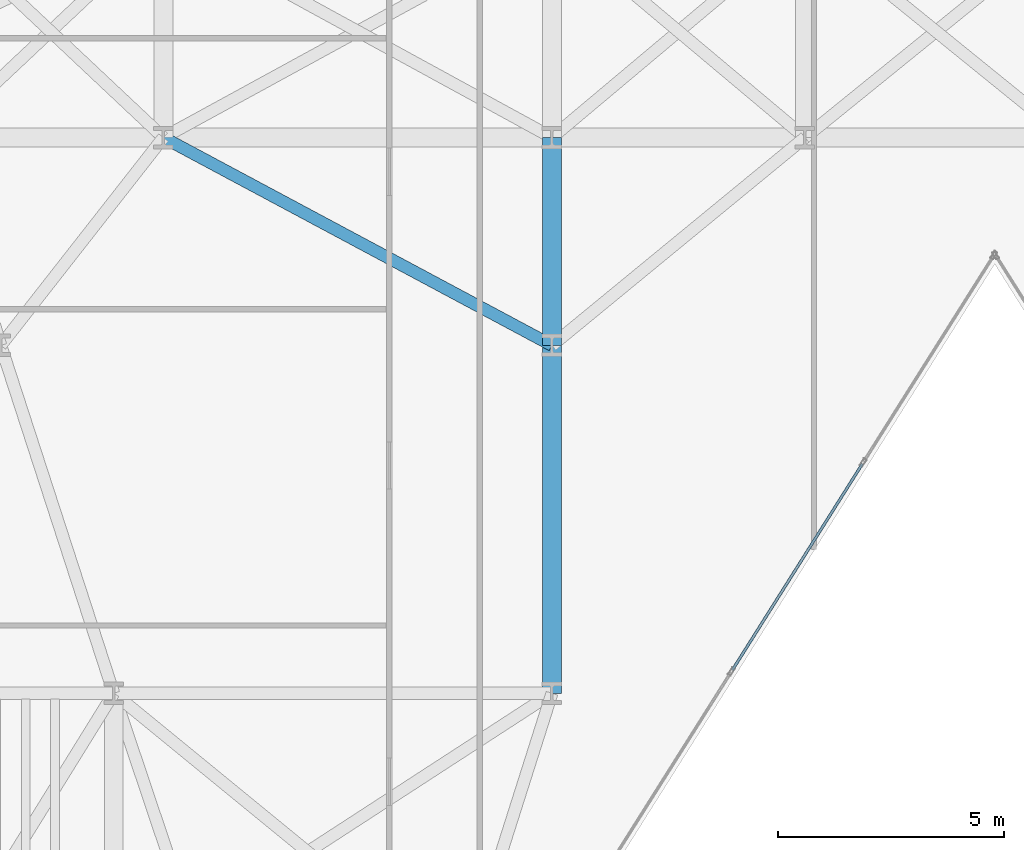
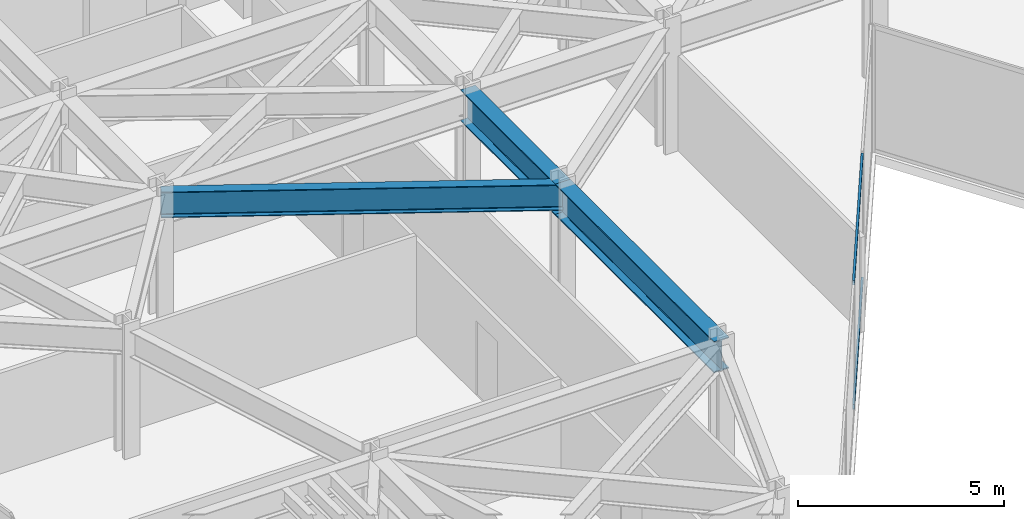
# One storey, part 9 of 25: 3 beams, 2 members, 1 element without a shape of its own.
"""IFC4 building model written with IfcOpenShell, lengths in metres."""

import ifcopenshell
import ifcopenshell.guid

model = None  # the IFC model being written
_history = None  # IfcOwnerHistory: only IFC2X3 demands one
_inside = {}  # id of a spatial element -> (the spatial element, [elements in it])
_under = {}  # id of a project, library or spatial element -> (it, [spatial elements below it])
_declared = {}  # id of a project -> (the project, [libraries it declares])
_typed = {}  # id of a type object -> (the type object, [elements of that type])
_made_of = {}  # id of a material, layer set ... -> (it, [elements and type objects made of it])


def new_model(schema):
    """Start an empty IFC model of exactly this schema.

    Asked for "IFC4X3", IfcOpenShell would pick the latest addendum, in which some entities
    have other attributes; the version numbers below select the first issue.
    IFC2X3 requires an IfcOwnerHistory on every rooted entity: one is made here for all.
    """
    global model, _history
    if schema == "IFC4X3":
        model = ifcopenshell.file(schema_version=(4, 3, 0, 0))
    else:
        model = ifcopenshell.file(schema=schema)
    _inside.clear()
    _under.clear()
    _declared.clear()
    _typed.clear()
    _made_of.clear()
    _history = None
    if model.schema == "IFC2X3":
        org = make("IfcOrganization", Name="unknown")
        user = make(
            "IfcPersonAndOrganization",
            ThePerson=make("IfcPerson", FamilyName="unknown"),
            TheOrganization=org,
        )
        app = make(
            "IfcApplication",
            ApplicationDeveloper=org,
            Version="unknown",
            ApplicationFullName="unknown",
            ApplicationIdentifier="unknown",
        )
        _history = make(
            "IfcOwnerHistory",
            OwningUser=user,
            OwningApplication=app,
            ChangeAction="ADDED",
            CreationDate=0,
        )
    return model


def make(cls, **values):
    """One entity of the class cls with the attributes given. An attribute that is None is left unset."""
    return model.create_entity(
        cls, **{name: value for name, value in values.items() if value is not None}
    )


def rooted(cls, **values):
    """An entity with a GlobalId (a new one), such as an element, a storey or a relation."""
    return make(cls, GlobalId=ifcopenshell.guid.new(), OwnerHistory=_history, **values)


def si_unit(unit_type, name, prefix=None):
    """IfcSIUnit, for example si_unit("LENGTHUNIT", "METRE", prefix="MILLI")."""
    return make("IfcSIUnit", UnitType=unit_type, Prefix=prefix, Name=name)


def assignment(units):
    """IfcUnitAssignment: the units of a project."""
    return None if units is None else make("IfcUnitAssignment", Units=units)


def point(xyz):
    """IfcCartesianPoint."""
    return None if xyz is None else make("IfcCartesianPoint", Coordinates=xyz)


def direction(xyz):
    """IfcDirection."""
    return None if xyz is None else make("IfcDirection", DirectionRatios=xyz)


def frame(location, z_axis=None, x_axis=None):
    """IfcAxis2Placement3D, a coordinate frame: its origin and axes. An axis left out is left unset."""
    return make(
        "IfcAxis2Placement3D",
        Location=point(location),
        Axis=direction(z_axis),
        RefDirection=direction(x_axis),
    )


def frame_2d(location, x_axis=None):
    """IfcAxis2Placement2D, a coordinate frame in the plane: its origin and x axis."""
    return make(
        "IfcAxis2Placement2D", Location=point(location), RefDirection=direction(x_axis)
    )


def origin():
    """The frame at (0, 0, 0) with its axes left unset."""
    return frame((0.0, 0.0, 0.0))


def origin_2d():
    """The frame at (0, 0) in the plane with its x axis left unset."""
    return frame_2d((0.0, 0.0))


def place(relative_to, where):
    """IfcLocalPlacement: puts the frame where relative to a parent placement (None: the world)."""
    return make(
        "IfcLocalPlacement", PlacementRelTo=relative_to, RelativePlacement=where
    )


def context(
    kind, dimensions, precision=None, world=None, true_north=None, identifier=None
):
    """IfcGeometricRepresentationContext, for example the 3D "Model" context."""
    return make(
        "IfcGeometricRepresentationContext",
        ContextIdentifier=identifier,
        ContextType=kind,
        CoordinateSpaceDimension=dimensions,
        Precision=precision,
        WorldCoordinateSystem=world,
        TrueNorth=true_north,
    )


def subcontext(parent, identifier, kind, view, scale=None):
    """IfcGeometricRepresentationSubContext, for example "Body" below "Model"."""
    return make(
        "IfcGeometricRepresentationSubContext",
        ContextIdentifier=identifier,
        ContextType=kind,
        ParentContext=parent,
        TargetScale=scale,
        TargetView=view,
    )


def project(units=None, contexts=None):
    """IfcProject with its units and contexts."""
    return rooted(
        "IfcProject",
        Name="project",
        RepresentationContexts=contexts,
        UnitsInContext=assignment(units),
    )


def spatial(cls, under=None, at=None, **own):
    """A site, building, storey or space (cls), placed at a placement, below another one or the project."""
    s = rooted(cls, ObjectPlacement=at, **own)
    if under is not None:
        _under.setdefault(under.id(), (under, []))[1].append(s)
    return s


def profile(cls, at=None, kind="AREA", **sizes):
    """A parametric profile (cls). Its sizes go by their IFC names, for example OverallWidth=200.0."""
    return make(cls, ProfileType=kind, Position=at, **sizes)


def hollow_rectangle(**sizes):
    """IfcRectangleHollowProfileDef."""
    return profile("IfcRectangleHollowProfileDef", **sizes)


def i_section(**sizes):
    """IfcIShapeProfileDef."""
    return profile("IfcIShapeProfileDef", **sizes)


def extrude(swept, where, along, depth):
    """IfcExtrudedAreaSolid: the profile swept, set in the frame where, extruded along a direction by depth."""
    return make(
        "IfcExtrudedAreaSolid",
        SweptArea=swept,
        Position=where,
        ExtrudedDirection=direction(along),
        Depth=depth,
    )


def shape(context_of_items, identifier, shape_type, items):
    """IfcShapeRepresentation: the items that make up one representation, for example the "Body"."""
    return make(
        "IfcShapeRepresentation",
        ContextOfItems=context_of_items,
        RepresentationIdentifier=identifier,
        RepresentationType=shape_type,
        Items=items,
    )


def material(Name=None, Category=None):
    """IfcMaterial."""
    return make("IfcMaterial", Name=Name, Category=Category)


def layer(
    of_material, thickness, ventilated=None, Name=None, Category=None, Priority=None
):
    """IfcMaterialLayer: one layer of a wall or slab, of a material (None: an air gap)."""
    return make(
        "IfcMaterialLayer",
        Material=of_material,
        LayerThickness=thickness,
        IsVentilated=ventilated,
        Name=Name,
        Category=Category,
        Priority=Priority,
    )


def layer_set(layers, Name=None):
    """IfcMaterialLayerSet."""
    return make("IfcMaterialLayerSet", MaterialLayers=layers, LayerSetName=Name)


def material_profile(
    of_material, cross_section, Name=None, Category=None, Priority=None
):
    """IfcMaterialProfile: a cross section and its material."""
    return make(
        "IfcMaterialProfile",
        Name=Name,
        Material=of_material,
        Profile=cross_section,
        Priority=Priority,
        Category=Category,
    )


def profile_set(profiles, Name=None, composite=None):
    """IfcMaterialProfileSet."""
    return make(
        "IfcMaterialProfileSet",
        Name=Name,
        MaterialProfiles=profiles,
        CompositeProfile=composite,
    )


def made_of(thing, what):
    """Note that an element or type object is made of a material, layer set ...; save() writes the relation."""
    if what is not None:
        _made_of.setdefault(what.id(), (what, []))[1].append(thing)
    return thing


def type_object(cls, material=None, **own):
    """A type object (cls), such as IfcWallType, which elements share."""
    return made_of(rooted(cls, **own), material)


def element(
    cls,
    number,
    at=None,
    inside=None,
    cuts=None,
    type_object=None,
    material=None,
    context=None,
    identifier="Body",
    shape_type=None,
    held_by="IfcProductDefinitionShape",
    body=None,
    shapes=None,
    **own,
):
    """One element of the class cls, such as IfcWall. Its Tag is "e" and its number.

    at: its placement. inside: the storey or other place that contains it. cuts: it is an
    opening in that element (IfcRelVoidsElement). A single representation is given by context,
    identifier, shape_type and body (its items); several are given by shapes. held_by: the class
    of the entity that holds the representations. save() writes the other relations.
    """
    e = rooted(cls, Tag="e%d" % number, ObjectPlacement=at, **own)
    if body is not None:
        shapes = [shape(context, identifier, shape_type, body)]
    if shapes is not None:
        e.Representation = make(held_by, Representations=shapes)
    if inside is not None:
        _inside.setdefault(inside.id(), (inside, []))[1].append(e)
    if cuts is not None:
        rooted(
            "IfcRelVoidsElement", RelatingBuildingElement=cuts, RelatedOpeningElement=e
        )
    if type_object is not None:
        _typed.setdefault(type_object.id(), (type_object, []))[1].append(e)
    return made_of(e, material)


def aggregate(whole, parts):
    """IfcRelAggregates: a whole, such as a stair, and the parts it consists of."""
    return rooted("IfcRelAggregates", RelatingObject=whole, RelatedObjects=parts)


def save(model, path):
    """Write the relations noted so far, then the file.

    IfcRelAggregates (storeys below a building ...), IfcRelContainedInSpatialStructure (elements
    in a storey), IfcRelDefinesByType, IfcRelAssociatesMaterial and IfcRelDeclares: one each for
    every whole, place, type object, material and project.
    """
    for whole, parts in _under.values():
        aggregate(whole, parts)
    for where, things in _inside.values():
        rooted(
            "IfcRelContainedInSpatialStructure",
            RelatedElements=things,
            RelatingStructure=where,
        )
    for kind, things in _typed.values():
        rooted("IfcRelDefinesByType", RelatedObjects=things, RelatingType=kind)
    for what, things in _made_of.values():
        rooted("IfcRelAssociatesMaterial", RelatedObjects=things, RelatingMaterial=what)
    for by, libraries in _declared.values():
        rooted("IfcRelDeclares", RelatingContext=by, RelatedDefinitions=libraries)
    model.write(path)


model = new_model("IFC4")

# Units and contexts
model_context = context("Model", 3, precision=1e-05, world=origin(), true_north=direction((0.0, 1.0)))
body_context = subcontext(model_context, "Body", "Model", "MODEL_VIEW")
ifc_project = project(units=[si_unit("LENGTHUNIT", "METRE"), si_unit("AREAUNIT", "SQUARE_METRE"), si_unit("VOLUMEUNIT", "CUBIC_METRE"), si_unit("PLANEANGLEUNIT", "RADIAN"), si_unit("MASSUNIT", "GRAM", prefix="KILO")], contexts=[model_context])

# Site, building, storey
site_placement = place(None, origin())
site = spatial("IfcSite", under=ifc_project, at=site_placement, CompositionType="ELEMENT")
building_placement = place(site_placement, origin())
building = spatial("IfcBuilding", under=site, at=building_placement, Name="Kravanh Interchange Tower", CompositionType="ELEMENT")
storey_placement = place(building_placement, frame((0.0, 0.0, 65.5)))
storey = spatial("IfcBuildingStorey", under=building, at=storey_placement, Name="L15", CompositionType="ELEMENT", Elevation=65.5)

# Curtain wall, members
ifc_material_1 = material(Name="Anodised Bronze Aluminium", Category="aluminium")
ifc_layer = layer(ifc_material_1, 0.179931640625)
ifc_layer_set = layer_set([ifc_layer], Name="Unitised Curtain Wall System CW-Z1 Lower Office")
curtain_wall_type = type_object("IfcCurtainWallType", Name="Unitised Curtain Wall System CW-Z1 Lower Office", PredefinedType="NOTDEFINED", material=ifc_layer_set)
curtain_wall_placement = place(storey_placement, origin())
curtain_wall = element("IfcCurtainWall", 1, at=curtain_wall_placement, inside=storey, type_object=curtain_wall_type, Name="L15 Unitised Curtain Wall CW-L15-05", PredefinedType="NOTDEFINED")
ifc_material_2 = material(Name="Anodised Bronze Aluminium", Category="aluminium")
ifc_material_profile_1 = material_profile(ifc_material_2, hollow_rectangle(XDim=0.06005859375, YDim=0.139892578125, WallThickness=0.00390625, at=origin_2d()), Name="ALU60X140X4")
ifc_profile_set_1 = profile_set([ifc_material_profile_1], Name="Anodised Bronze Aluminium")
member_type = type_object("IfcMemberType", Name="Curtain Wall Transom ALU60X140X4 Bronze", PredefinedType="USERDEFINED", material=ifc_profile_set_1)
member_1_placement = place(storey_placement, frame((34.068115234375, 19.574462890625, 0.030029296875), z_axis=(-0.533311487456, -0.84591894254, 0.0), x_axis=(0.84591894254, -0.533311487456, 0.0)))
member_1 = element("IfcMember", 2, at=member_1_placement, type_object=member_type, Name="CW-Z1 transom 2.1", ObjectType="TRANSOM", PredefinedType="USERDEFINED", context=body_context, shape_type="SweptSolid", body=[
    extrude(hollow_rectangle(XDim=0.06005859375, YDim=0.139892578125, WallThickness=0.00390625, at=origin_2d()), origin(), (0.0, 0.0, 1.0), 5.392578125),
])
member_2_placement = place(storey_placement, frame((34.068115234375, 19.574462890625, 3.7099609375), z_axis=(-0.533311487456, -0.84591894254, 0.0), x_axis=(0.84591894254, -0.533311487456, 0.0)))
member_2 = element("IfcMember", 3, at=member_2_placement, type_object=member_type, Name="CW-Z1 transom 2.2", ObjectType="TRANSOM", PredefinedType="USERDEFINED", context=body_context, shape_type="SweptSolid", body=[
    extrude(hollow_rectangle(XDim=0.06005859375, YDim=0.139892578125, WallThickness=0.00390625, at=origin_2d()), origin(), (0.0, 0.0, 1.0), 5.392578125),
])
aggregate(curtain_wall, [member_1, member_2])

# Beams
ifc_material_3 = material(Name="Structural Steel S355", Category="steel")
ifc_material_profile_2 = material_profile(ifc_material_3, i_section(OverallWidth=0.41796875, OverallDepth=0.927001953125, WebThickness=0.019287109375, FlangeThickness=0.031982421875, FilletRadius=0.028076171875, at=origin_2d()), Name="W36X231")
ifc_profile_set_2 = profile_set([ifc_material_profile_2], Name="Structural Steel S355")
beam_type_1 = type_object("IfcBeamType", Name="Floor Beam W36X231 Structural Steel S355", PredefinedType="BEAM", material=ifc_profile_set_2)
beam_1_placement = place(storey_placement, frame((27.199951171875, 22.199951171875, 3.276611328125), z_axis=(0.0, 1.0, 0.0), x_axis=(-1.0, 0.0, 0.0)))
element("IfcBeam", 4, at=beam_1_placement, inside=storey, type_object=beam_type_1, Name="L15 Primary Floor Girder 54", PredefinedType="BEAM", context=body_context, shape_type="SweptSolid", body=[
    extrude(i_section(OverallWidth=0.41796875, OverallDepth=0.927001953125, WebThickness=0.019287109375, FlangeThickness=0.031982421875, FilletRadius=0.028076171875, at=origin_2d()), origin(), (0.0, 0.0, 1.0), 4.60009765625),
])
beam_2_placement = place(storey_placement, frame((27.199951171875, 22.199951171875, 3.276611328125), z_axis=(0.0, -1.0, 0.0), x_axis=(1.0, 0.0, 0.0)))
element("IfcBeam", 5, at=beam_2_placement, inside=storey, type_object=beam_type_1, Name="L15 Primary Floor Girder 56", PredefinedType="BEAM", context=body_context, shape_type="SweptSolid", body=[
    extrude(i_section(OverallWidth=0.41796875, OverallDepth=0.927001953125, WebThickness=0.019287109375, FlangeThickness=0.031982421875, FilletRadius=0.028076171875, at=origin_2d()), origin(), (0.0, 0.0, 1.0), 7.699951171875),
])
ifc_material_4 = material(Name="Structural Steel S355", Category="steel")
ifc_material_profile_3 = material_profile(ifc_material_4, i_section(OverallWidth=0.26708984375, OverallDepth=0.761962890625, WebThickness=0.014404296875, FlangeThickness=0.021484375, FilletRadius=0.02490234375, at=origin_2d()), Name="W30X116")
ifc_profile_set_3 = profile_set([ifc_material_profile_3], Name="Structural Steel S355")
beam_type_2 = type_object("IfcBeamType", Name="Floor Spandrel W30X116 Structural Steel S355", PredefinedType="SPANDREL", material=ifc_profile_set_3)
beam_3_placement = place(storey_placement, frame((27.199951171875, 22.199951171875, 3.35888671875), z_axis=(-0.881777136221, 0.471666282489, 0.0), x_axis=(-0.471666282489, -0.881777136221, 0.0)))
element("IfcBeam", 6, at=beam_3_placement, inside=storey, type_object=beam_type_2, Name="L15 Perimeter Spandrel 57", PredefinedType="SPANDREL", context=body_context, shape_type="SweptSolid", body=[
    extrude(i_section(OverallWidth=0.26708984375, OverallDepth=0.761962890625, WebThickness=0.014404296875, FlangeThickness=0.021484375, FilletRadius=0.02490234375, at=origin_2d()), origin(), (0.0, 0.0, 1.0), 9.7529296875),
])

save(model, "model.ifc")
